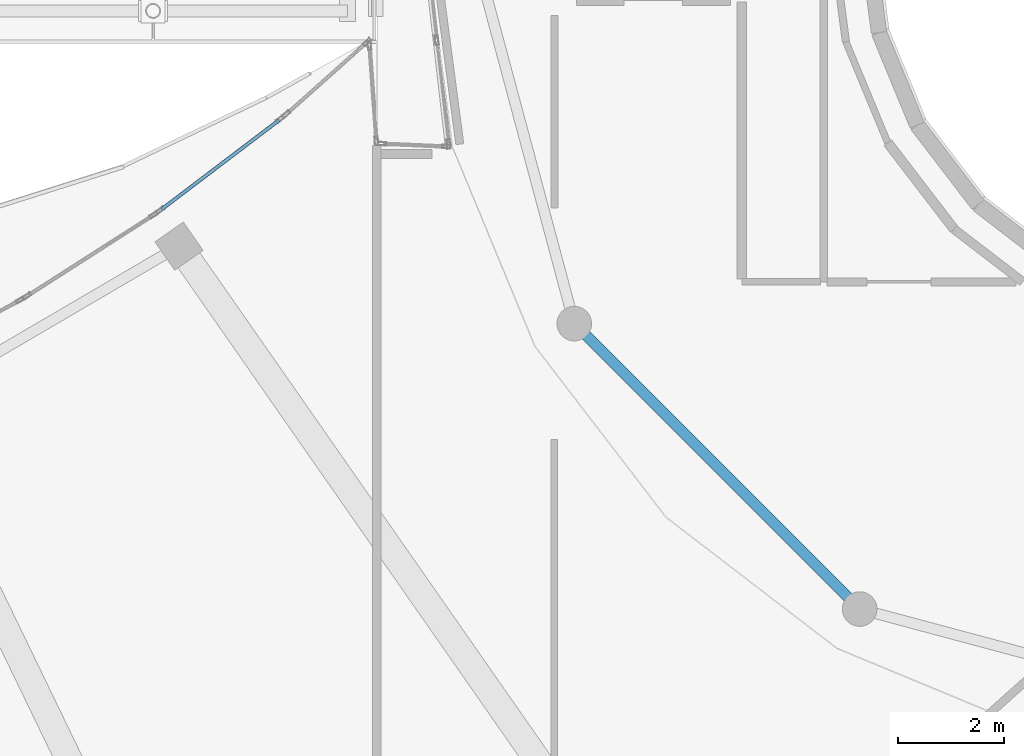
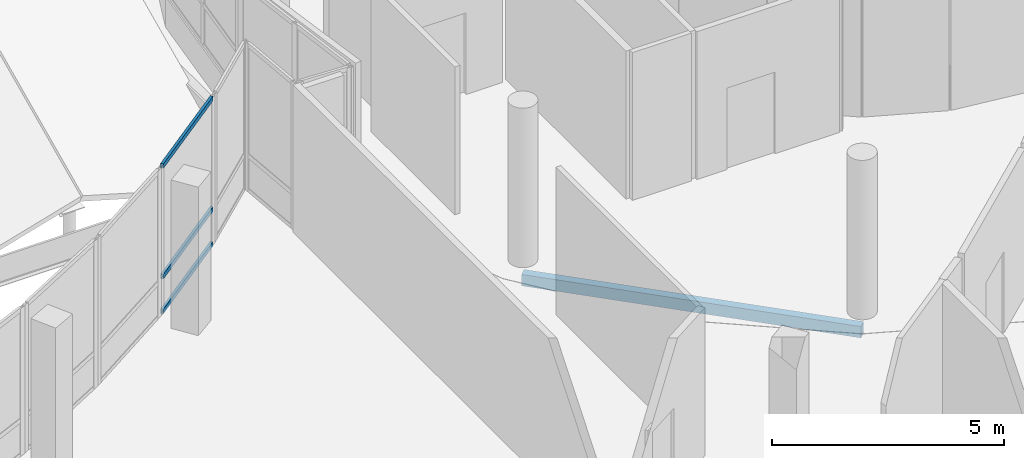
# One storey, part 56 of 184: 3 members, 1 beam, 1 element without a shape of its own.
"""IFC4 building model written with IfcOpenShell, lengths in metres."""

from ifc_helpers import new_model, si_unit, direction, frame, origin, origin_2d, place, context, subcontext, project, spatial, hollow_rectangle, extrude, material, material_profile, profile_set, type_object, element, aggregate, save


model = new_model("IFC4")

# Units and contexts
model_context = context("Model", 3, precision=1e-05, world=origin(), true_north=direction((0.0, 1.0)))
body_context = subcontext(model_context, "Body", "Model", "MODEL_VIEW")
ifc_project = project(units=[si_unit("LENGTHUNIT", "METRE"), si_unit("AREAUNIT", "SQUARE_METRE"), si_unit("VOLUMEUNIT", "CUBIC_METRE"), si_unit("PLANEANGLEUNIT", "RADIAN"), si_unit("MASSUNIT", "GRAM", prefix="KILO")], contexts=[model_context])

# Site, building, storey
site_placement = place(None, origin())
site = spatial("IfcSite", under=ifc_project, at=site_placement, CompositionType="ELEMENT")
building_placement = place(site_placement, origin())
building = spatial("IfcBuilding", under=site, at=building_placement, Name="Selatvlak General Hospital", CompositionType="ELEMENT")
storey_placement = place(building_placement, frame((0.0, 0.0, 15.0)))
storey = spatial("IfcBuildingStorey", under=building, at=storey_placement, Name="L03", CompositionType="ELEMENT", Elevation=15.0)

# Beam
ifc_material_1 = material(Name="Steel S355", Category="steel")
ifc_material_profile_1 = material_profile(ifc_material_1, hollow_rectangle(XDim=0.199951171875, YDim=0.300048828125, WallThickness=0.011962890625, at=origin_2d()), Name="RHS 300x200x12")
ifc_profile_set_1 = profile_set([ifc_material_profile_1], Name="Steel S355")
beam_type = type_object("IfcBeamType", Name="BM-SP3", PredefinedType="SPANDREL", material=ifc_profile_set_1)
beam_placement = place(storey_placement, frame((85.31298828125, 46.675048828125, -0.489990234375), z_axis=(0.707106781187, -0.707106781187, 0.0), x_axis=(0.707106781187, 0.707106781187, 0.0)))
element("IfcBeam", 1, at=beam_placement, inside=storey, type_object=beam_type, Name="Beam BMR-L03-1446", PredefinedType="SPANDREL", context=body_context, shape_type="SweptSolid", body=[
    extrude(hollow_rectangle(XDim=0.199951171875, YDim=0.300048828125, WallThickness=0.011962890625, at=origin_2d()), origin(), (0.0, 0.0, 1.0), 7.5830078125),
])

# Curtain wall, members
ifc_material_2 = material(Name="Solar-control Low-E double glazing", Category="glass")
curtain_wall_type = type_object("IfcCurtainWallType", Name="CW-CW-02", PredefinedType="USERDEFINED", material=ifc_material_2)
curtain_wall_placement = place(storey_placement, origin())
curtain_wall = element("IfcCurtainWall", 2, at=curtain_wall_placement, inside=storey, type_object=curtain_wall_type, Name="Glazed facade curtain wall CW-L03-0458", ObjectType="UNITISED CURTAIN WALL", PredefinedType="USERDEFINED")
ifc_material_3 = material(Name="Dark anodised aluminium mullion", Category="aluminium")
ifc_material_profile_2 = material_profile(ifc_material_3, hollow_rectangle(XDim=0.06494140625, YDim=0.1201171875, WallThickness=0.00390625, at=origin_2d()), Name="AL-TRN 65x120x4")
ifc_profile_set_2 = profile_set([ifc_material_profile_2], Name="Dark anodised aluminium mullion")
member_type = type_object("IfcMemberType", Name="CWT-01", PredefinedType="USERDEFINED", material=ifc_profile_set_2)
member_1_placement = place(storey_placement, frame((77.559814453125, 48.8232421875, 0.032470703125), z_axis=(0.796549288626, 0.604573594189, 0.0), x_axis=(-0.604573594189, 0.796549288626, 0.0)))
member_1 = element("IfcMember", 3, at=member_1_placement, type_object=member_type, Name="CW-02 transom 1.1", ObjectType="TRANSOM", PredefinedType="USERDEFINED", context=body_context, shape_type="SweptSolid", body=[
    extrude(hollow_rectangle(XDim=0.06494140625, YDim=0.1201171875, WallThickness=0.00390625, at=origin_2d()), origin(), (0.0, 0.0, 1.0), 2.769775390625),
])
member_2_placement = place(storey_placement, frame((77.559814453125, 48.8232421875, 0.949951171875), z_axis=(0.796549288626, 0.604573594189, 0.0), x_axis=(-0.604573594189, 0.796549288626, 0.0)))
member_2 = element("IfcMember", 4, at=member_2_placement, type_object=member_type, Name="CW-02 transom 1.2", ObjectType="TRANSOM", PredefinedType="USERDEFINED", context=body_context, shape_type="SweptSolid", body=[
    extrude(hollow_rectangle(XDim=0.06494140625, YDim=0.1201171875, WallThickness=0.00390625, at=origin_2d()), origin(), (0.0, 0.0, 1.0), 2.769775390625),
])
member_3_placement = place(storey_placement, frame((77.559814453125, 48.8232421875, 3.862548828125), z_axis=(0.796549288626, 0.604573594189, 0.0), x_axis=(-0.604573594189, 0.796549288626, 0.0)))
member_3 = element("IfcMember", 5, at=member_3_placement, type_object=member_type, Name="CW-02 transom 1.3", ObjectType="TRANSOM", PredefinedType="USERDEFINED", context=body_context, shape_type="SweptSolid", body=[
    extrude(hollow_rectangle(XDim=0.06494140625, YDim=0.1201171875, WallThickness=0.00390625, at=origin_2d()), origin(), (0.0, 0.0, 1.0), 2.769775390625),
])
aggregate(curtain_wall, [member_1, member_2, member_3])

save(model, "model.ifc")
